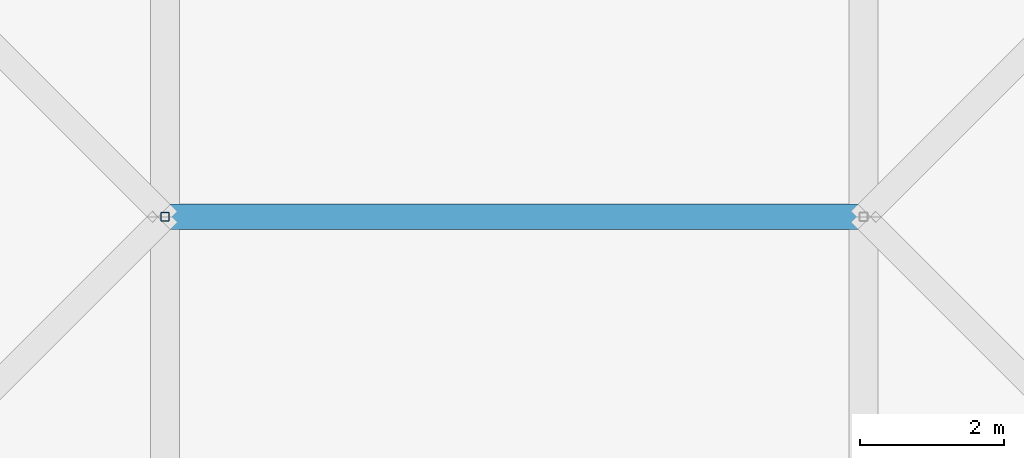
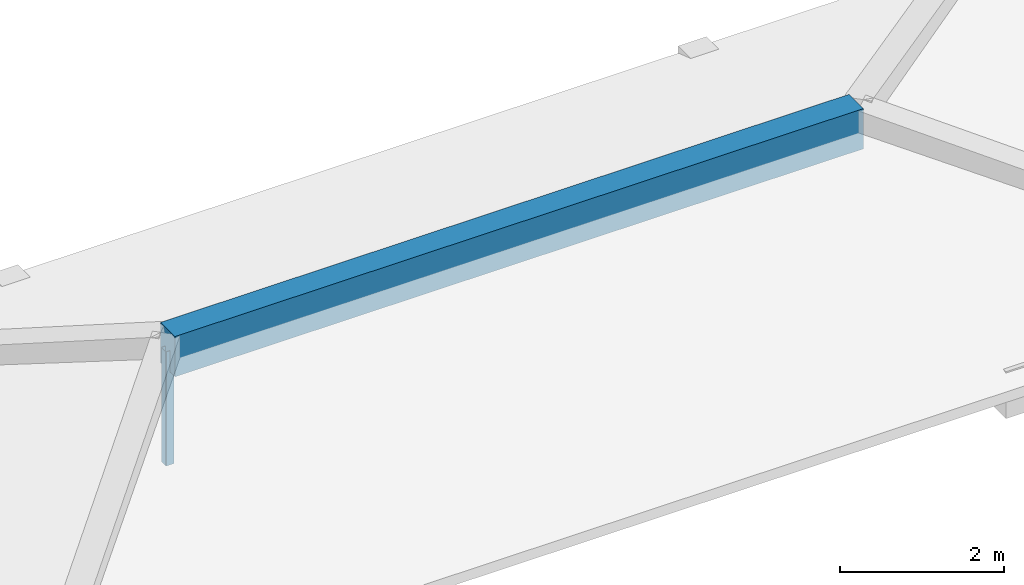
# One storey, part 4 of 56: 1 beam, 1 member.
"""IFC4 building model written with IfcOpenShell, lengths in metres."""

from ifc_helpers import new_model, si_unit, direction, frame, origin, origin_2d, place, context, subcontext, project, spatial, rectangle, hollow_rectangle, extrude, material, material_profile, profile_set, type_object, element, save


model = new_model("IFC4")

# Units and contexts
model_context = context("Model", 3, precision=1e-05, world=origin(), true_north=direction((0.0, 1.0)))
body_context = subcontext(model_context, "Body", "Model", "MODEL_VIEW")
ifc_project = project(units=[si_unit("LENGTHUNIT", "METRE"), si_unit("AREAUNIT", "SQUARE_METRE"), si_unit("VOLUMEUNIT", "CUBIC_METRE"), si_unit("PLANEANGLEUNIT", "RADIAN"), si_unit("MASSUNIT", "GRAM", prefix="KILO")], contexts=[model_context])

# Site, building, storey
site_placement = place(None, origin())
site = spatial("IfcSite", under=ifc_project, at=site_placement, CompositionType="ELEMENT")
building_placement = place(site_placement, origin())
building = spatial("IfcBuilding", under=site, at=building_placement, Name="Zacnel Wholesale Market", CompositionType="ELEMENT")
storey_placement = place(building_placement, frame((0.0, 0.0, 20.300048828125)))
storey = spatial("IfcBuildingStorey", under=building, at=storey_placement, Name="RF", CompositionType="ELEMENT", Elevation=20.300048828125)

# Beam
ifc_material_1 = material(Name="Concrete C40/50", Category="concrete")
ifc_material_profile_1 = material_profile(ifc_material_1, rectangle(XDim=0.35009765625, YDim=0.60009765625, at=origin_2d()), Name="ARCH RIB 350x600")
ifc_profile_set_1 = profile_set([ifc_material_profile_1], Name="Concrete C40/50")
beam_type = type_object("IfcBeamType", Name="BM-AR600", PredefinedType="USERDEFINED", material=ifc_profile_set_1)
beam_placement = place(storey_placement, frame((58.0, 20.0, -7.77001953125), z_axis=(1.0, 0.0, 0.0), x_axis=(0.0, 1.0, 0.0)))
element("IfcBeam", 1, at=beam_placement, inside=storey, type_object=beam_type, Name="Hipped crown ridge STR-ROOF-V4W-PAV", ObjectType="ARCH RIB", PredefinedType="USERDEFINED", context=body_context, shape_type="SweptSolid", body=[
    extrude(rectangle(XDim=0.35009765625, YDim=0.60009765625, at=origin_2d()), origin(), (0.0, 0.0, 1.0), 9.699951171875),
])

# Member
ifc_material_2 = material(Name="Steel S355", Category="steel")
ifc_material_profile_2 = material_profile(ifc_material_2, hollow_rectangle(XDim=0.1201171875, YDim=0.1201171875, WallThickness=0.00634765625, InnerFilletRadius=0.006103515625, OuterFilletRadius=0.011962890625, at=origin_2d()), Name="HSS 120x120x6.3")
ifc_profile_set_2 = profile_set([ifc_material_profile_2], Name="Steel S355")
member_type = type_object("IfcMemberType", Name="MEM-PST-HSS120", PredefinedType="POST", material=ifc_profile_set_2)
member_placement = place(storey_placement, frame((58.0, 20.0, -9.449951171875), z_axis=(0.0, 0.0, 1.0), x_axis=(1.0, 0.0, 0.0)))
element("IfcMember", 2, at=member_placement, inside=storey, type_object=member_type, Name="Hipped crown king-post STR-ROOF-V4W-PAV-1", PredefinedType="POST", context=body_context, shape_type="SweptSolid", body=[
    extrude(hollow_rectangle(XDim=0.1201171875, YDim=0.1201171875, WallThickness=0.00634765625, InnerFilletRadius=0.006103515625, OuterFilletRadius=0.011962890625, at=origin_2d()), origin(), (0.0, 0.0, 1.0), 1.699951171875),
])

save(model, "model.ifc")
